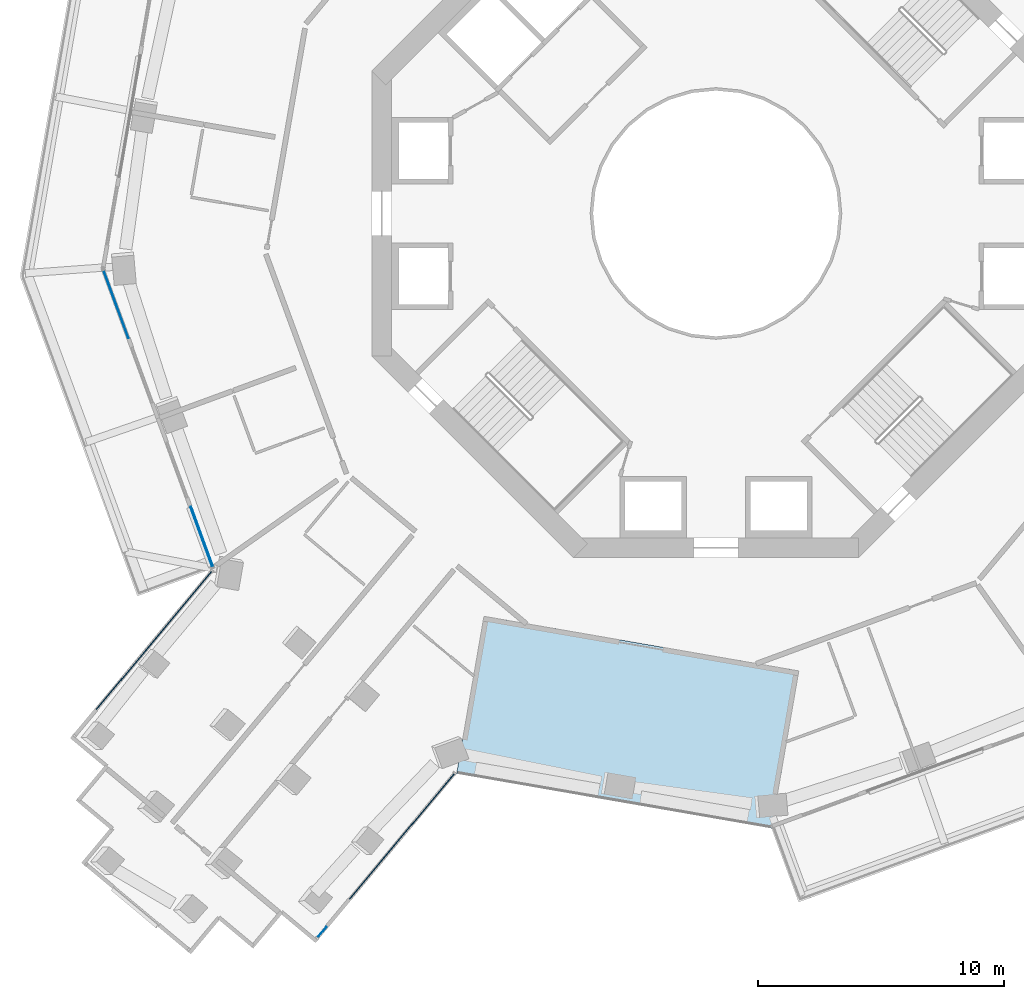
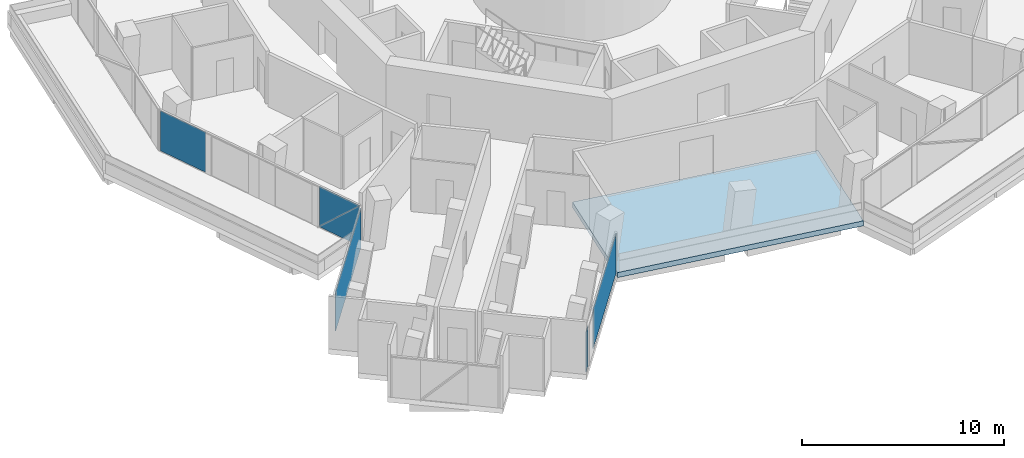
# One storey, part 11 of 24: 6 plates, 1 slab, 3 elements without a shape of their own.
"""IFC4 building model written with IfcOpenShell, lengths in metres."""

from ifc_helpers import new_model, si_unit, direction, frame, origin, origin_2d, place, context, subcontext, project, spatial, polyline, rectangle, outline, extrude, material, layer, layer_set, type_object, element, aggregate, save


model = new_model("IFC4")

# Units and contexts
model_context = context("Model", 3, precision=1e-05, world=origin(), true_north=direction((0.0, 1.0)))
body_context = subcontext(model_context, "Body", "Model", "MODEL_VIEW")
ifc_project = project(units=[si_unit("LENGTHUNIT", "METRE"), si_unit("AREAUNIT", "SQUARE_METRE"), si_unit("VOLUMEUNIT", "CUBIC_METRE"), si_unit("PLANEANGLEUNIT", "RADIAN"), si_unit("MASSUNIT", "GRAM", prefix="KILO")], contexts=[model_context])

# Site, building, storey
site_placement = place(None, origin())
site = spatial("IfcSite", under=ifc_project, at=site_placement, CompositionType="ELEMENT")
building_placement = place(site_placement, origin())
building = spatial("IfcBuilding", under=site, at=building_placement, Name="Verdalira Terraces Hotel", CompositionType="ELEMENT")
storey_placement = place(building_placement, frame((0.0, 0.0, 115.0)))
storey = spatial("IfcBuildingStorey", under=building, at=storey_placement, Name="L27", CompositionType="ELEMENT", Elevation=115.0)

# Curtain wall, plates
ifc_material_1 = material(Name="Clear glass", Category="glass")
ifc_layer_1 = layer(ifc_material_1, 0.14990234375)
ifc_layer_set_1 = layer_set([ifc_layer_1], Name="CW1 curtain wall")
curtain_wall_type_1 = type_object("IfcCurtainWallType", Name="CW1 curtain wall", PredefinedType="NOTDEFINED", material=ifc_layer_set_1)
curtain_wall_1_placement = place(storey_placement, origin())
curtain_wall_1 = element("IfcCurtainWall", 1, at=curtain_wall_1_placement, inside=storey, type_object=curtain_wall_type_1, Name="CW1 curtain wall L27 edge 13", PredefinedType="NOTDEFINED")
ifc_material_2 = material(Name="Clear glass", Category="glass")
ifc_layer_2 = layer(ifc_material_2, 0.028076171875)
ifc_layer_set_2 = layer_set([ifc_layer_2], Name="CW1 glass unit 28")
plate_type_1 = type_object("IfcPlateType", Name="CW1 glass unit 28", PredefinedType="CURTAIN_PANEL", material=ifc_layer_set_2)
plate_1_placement = place(storey_placement, frame((-24.40332, -3.699707, 0.0), z_axis=(0.0, 0.0, 1.0), x_axis=(0.344642923, -0.938733858, 0.0)))
plate_1 = element("IfcPlate", 2, at=plate_1_placement, type_object=plate_type_1, Name="CW1 glass unit", PredefinedType="CURTAIN_PANEL", context=body_context, shape_type="SweptSolid", body=[
    extrude(rectangle(XDim=2.924805, YDim=0.028076, at=origin_2d()), origin(), (0.0, 0.0, 1.0), 2.425049),
])
plate_2_placement = place(storey_placement, frame((-20.917725, -13.152832, 1.212402), z_axis=(-0.938733858, -0.344642923, 0.0), x_axis=(0.344642923, -0.938733858, 0.0)))
plate_2 = element("IfcPlate", 3, at=plate_2_placement, type_object=plate_type_1, Name="CW1 glass unit", PredefinedType="CURTAIN_PANEL", context=body_context, shape_type="SweptSolid", body=[
    extrude(outline(polyline([(-1.302246, -1.212402), (1.302246, -1.212402), (1.302246, 1.212402), (-1.302246, -1.212402)])), origin(), (0.0, 0.0, 1.0), 0.028076),
])
plate_3_placement = place(storey_placement, frame((-20.890381, -13.142822, 1.212402), z_axis=(-0.938733858, -0.344642923, 0.0), x_axis=(0.344642923, -0.938733858, 0.0)))
plate_3 = element("IfcPlate", 4, at=plate_3_placement, type_object=plate_type_1, Name="CW1 glass unit", PredefinedType="CURTAIN_PANEL", context=body_context, shape_type="SweptSolid", body=[
    extrude(outline(polyline([(-1.302246, -1.212402), (1.302246, 1.212402), (-1.302246, 1.212402), (-1.302246, -1.212402)])), origin(), (0.0, 0.0, 1.0), 0.028076),
])
aggregate(curtain_wall_1, [plate_1, plate_2, plate_3])

# Curtain wall, plate
ifc_material_3 = material(Name="Clear glass", Category="glass")
ifc_layer_3 = layer(ifc_material_3, 0.14990234375)
ifc_layer_set_3 = layer_set([ifc_layer_3], Name="CW2 curtain wall")
curtain_wall_type_2 = type_object("IfcCurtainWallType", Name="CW2 curtain wall", PredefinedType="NOTDEFINED", material=ifc_layer_set_3)
curtain_wall_2_placement = place(storey_placement, origin())
curtain_wall_2 = element("IfcCurtainWall", 5, at=curtain_wall_2_placement, inside=storey, type_object=curtain_wall_type_2, Name="CW2 curtain wall L27 edge 14", PredefinedType="NOTDEFINED")
ifc_material_4 = material(Name="Clear glass", Category="glass")
ifc_layer_4 = layer(ifc_material_4, 0.031982421875)
ifc_layer_set_4 = layer_set([ifc_layer_4], Name="CW2 glass unit 32")
plate_type_2 = type_object("IfcPlateType", Name="CW2 glass unit 32", PredefinedType="CURTAIN_PANEL", material=ifc_layer_set_4)
plate_4_placement = place(storey_placement, frame((-22.864258, -17.374512, 0.0), z_axis=(0.0, 0.0, 1.0), x_axis=(-0.640645907, -0.767836456, 0.0)))
plate_4 = element("IfcPlate", 6, at=plate_4_placement, type_object=plate_type_2, Name="CW2 glass unit", PredefinedType="CURTAIN_PANEL", context=body_context, shape_type="SweptSolid", body=[
    extrude(rectangle(XDim=7.320801, YDim=0.031982, at=origin_2d()), origin(), (0.0, 0.0, 1.0), 2.425049),
])
aggregate(curtain_wall_2, [plate_4])

# Curtain wall, plates
curtain_wall_3_placement = place(storey_placement, origin())
curtain_wall_3 = element("IfcCurtainWall", 7, at=curtain_wall_3_placement, inside=storey, type_object=curtain_wall_type_2, Name="CW2 curtain wall L27 edge 24", PredefinedType="NOTDEFINED")
plate_5_placement = place(storey_placement, frame((-16.0271, -29.238037, 0.0), z_axis=(0.0, 0.0, 1.0), x_axis=(0.640645907, 0.767836456, 0.0)))
plate_5 = element("IfcPlate", 8, at=plate_5_placement, type_object=plate_type_2, Name="CW2 glass unit", PredefinedType="CURTAIN_PANEL", context=body_context, shape_type="SweptSolid", body=[
    extrude(rectangle(XDim=0.560059, YDim=0.031982, at=origin_2d()), origin(), (0.0, 0.0, 1.0), 2.425049),
])
plate_6_placement = place(storey_placement, frame((-12.776855, -25.342529, 0.0), z_axis=(0.0, 0.0, 1.0), x_axis=(0.640645907, 0.767836456, 0.0)))
plate_6 = element("IfcPlate", 9, at=plate_6_placement, type_object=plate_type_2, Name="CW2 glass unit", PredefinedType="CURTAIN_PANEL", context=body_context, shape_type="SweptSolid", body=[
    extrude(rectangle(XDim=6.631836, YDim=0.031982, at=origin_2d()), origin(), (0.0, 0.0, 1.0), 2.425049),
])
aggregate(curtain_wall_3, [plate_5, plate_6])

# Slab
ifc_material_5 = material(Name="Concrete C40", Category="concrete")
ifc_layer_5 = layer(ifc_material_5, 0.31005859375)
ifc_layer_set_5 = layer_set([ifc_layer_5], Name="Loggia floor deck 310 C40")
slab_type = type_object("IfcSlabType", Name="Loggia floor deck 310 C40", PredefinedType="FLOOR", material=ifc_layer_set_5)
slab_placement = place(storey_placement, frame((0.0, 0.0, -0.310059)))
element("IfcSlab", 10, at=slab_placement, inside=storey, type_object=slab_type, Name="Loggia deck L27", PredefinedType="FLOOR", context=body_context, shape_type="SweptSolid", body=[
    extrude(outline(polyline([(-9.439209, -16.38623), (-10.550049, -22.790527), (2.258789, -25.012207), (3.369385, -18.60791), (-9.439209, -16.38623)])), origin(), (0.0, 0.0, 1.0), 0.310059),
])

save(model, "model.ifc")
